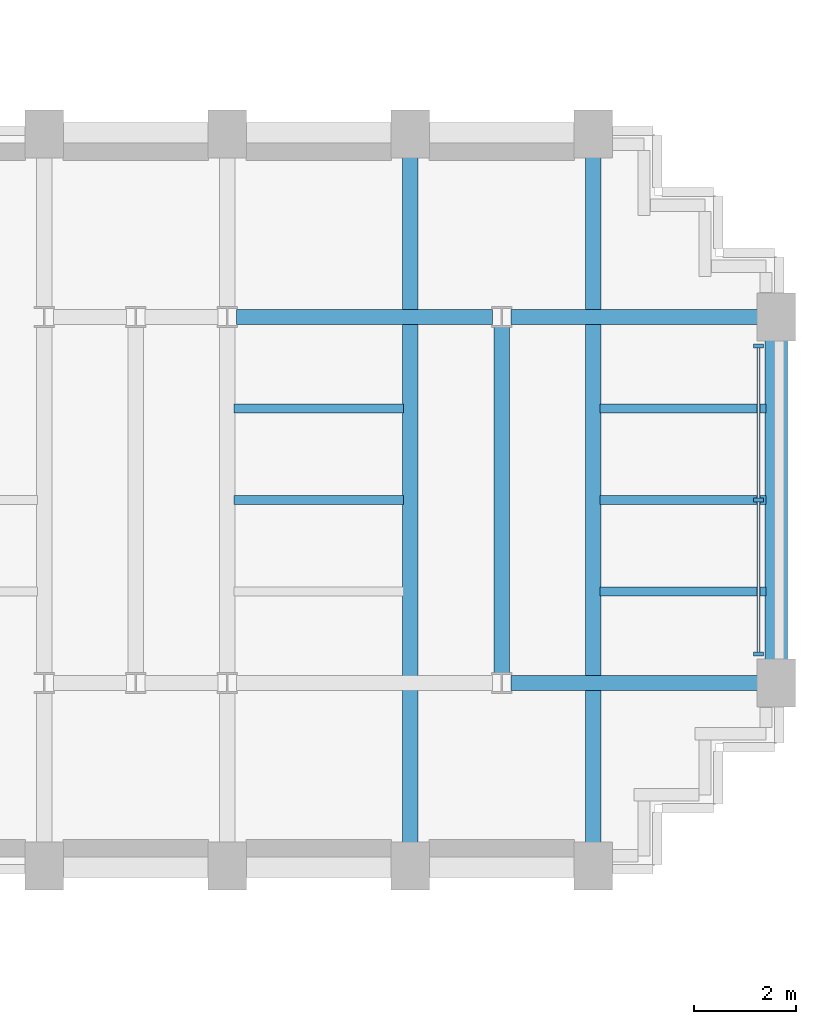
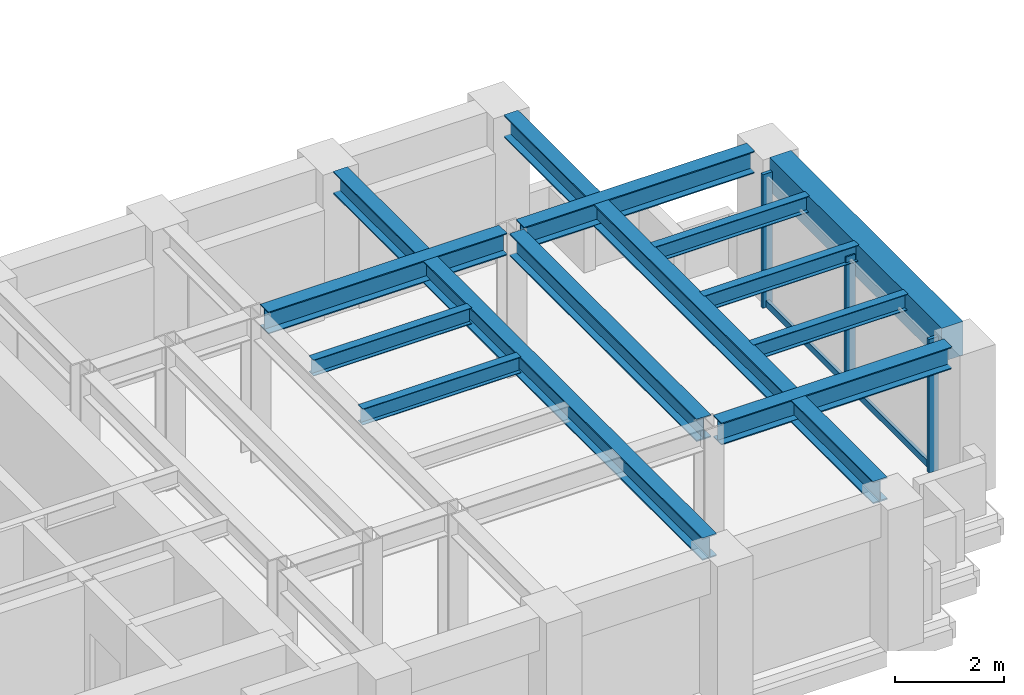
# One storey, part 6 of 16: 12 beams, 5 members, 1 element without a shape of its own.
"""IFC4 building model written with IfcOpenShell, lengths in metres."""

from ifc_helpers import new_model, si_unit, direction, frame, origin, origin_2d, place, context, subcontext, project, spatial, rectangle, i_section, extrude, source, transform, mapped, material, material_profile, profile_set, type_object, element, aggregate, save


model = new_model("IFC4")

# Units and contexts
model_context = context("Model", 3, precision=1e-05, world=origin(), true_north=direction((0.0, 1.0)))
body_context = subcontext(model_context, "Body", "Model", "MODEL_VIEW")
ifc_project = project(units=[si_unit("LENGTHUNIT", "METRE"), si_unit("AREAUNIT", "SQUARE_METRE"), si_unit("VOLUMEUNIT", "CUBIC_METRE"), si_unit("PLANEANGLEUNIT", "RADIAN"), si_unit("MASSUNIT", "GRAM", prefix="KILO")], contexts=[model_context])

# Site, building, storey
site_placement = place(None, origin())
site = spatial("IfcSite", under=ifc_project, at=site_placement, CompositionType="ELEMENT")
building_placement = place(site_placement, origin())
building = spatial("IfcBuilding", under=site, at=building_placement, Name="Keilestroom Media Tower", CompositionType="ELEMENT")
storey_placement = place(building_placement, frame((0.0, 0.0, 34.0)))
storey = spatial("IfcBuildingStorey", under=building, at=storey_placement, Name="L07", CompositionType="ELEMENT", Elevation=34.0)

# Beams
ifc_material_1 = material(Name="Precast concrete C40/50", Category="concrete")
ifc_material_profile_1 = material_profile(ifc_material_1, rectangle(XDim=0.449951171875, YDim=0.75, at=origin_2d()), Name="PC 450x750")
ifc_profile_set_1 = profile_set([ifc_material_profile_1], Name="Precast concrete C40/50")
beam_type_1 = type_object("IfcBeamType", Name="Perimeter-Spandrel-Beam-PC-450x750", PredefinedType="SPANDREL", material=ifc_profile_set_1)
shared_shape_1 = source(origin(), body_context, "Body", "SweptSolid", [
    extrude(rectangle(XDim=0.449951171875, YDim=0.75, at=origin_2d()), origin(), (0.0, 0.0, 1.0), 6.2900390625),
])
beam_1_placement = place(storey_placement, frame((28.800048828125, -3.14501953125, 2.824951171875), z_axis=(0.0, 1.0, 0.0), x_axis=(-1.0, 0.0, 0.0)))
element("IfcBeam", 1, at=beam_1_placement, inside=storey, type_object=beam_type_1, Name="L07 Beam SPB-1 BM-L07-NS-086", PredefinedType="SPANDREL", context=body_context, shape_type="MappedRepresentation", body=[
    mapped(shared_shape_1, transform((0.0, 0.0, 0.0), x_axis=(1.0, 0.0, 0.0), y_axis=(0.0, 1.0, 0.0), z_axis=(0.0, 0.0, 1.0), scale=1.0)),
])
ifc_material_2 = material(Name="Steel S355", Category="steel")
ifc_material_profile_2 = material_profile(ifc_material_2, i_section(OverallWidth=0.300048828125, OverallDepth=0.5, WebThickness=0.012451171875, FlangeThickness=0.028076171875, at=origin_2d()), Name="HEB 500")
ifc_profile_set_2 = profile_set([ifc_material_profile_2], Name="Steel S355")
beam_type_2 = type_object("IfcBeamType", Name="Primary-Structural-Girder-HEB-500", PredefinedType="BEAM", material=ifc_profile_set_2)
shared_shape_2 = source(origin(), body_context, "Body", "SweptSolid", [
    extrude(i_section(OverallWidth=0.300048828125, OverallDepth=0.5, WebThickness=0.012451171875, FlangeThickness=0.028076171875, at=origin_2d()), origin(), (0.0, 0.0, 1.0), 13.490234375),
])
for number, where, z_axis, x_axis, name in (
    (2, (21.60009765625, -6.7451171875, 2.949951171875), (0.0, 1.0, 0.0), (-1.0, 0.0, 0.0), "L07 Beam BG-6 BM-L07-NS-083"),
    (3, (25.199951171875, -6.7451171875, 2.949951171875), (0.0, 1.0, 0.0), (-1.0, 0.0, 0.0), "L07 Beam BG-6 BM-L07-NS-085"),
):
    element("IfcBeam", number, at=place(storey_placement, frame(where, z_axis=z_axis, x_axis=x_axis)), inside=storey, type_object=beam_type_2, Name=name, PredefinedType="BEAM", context=body_context, shape_type="MappedRepresentation", body=[
        mapped(shared_shape_2, transform((0.0, 0.0, 0.0), x_axis=(1.0, 0.0, 0.0), y_axis=(0.0, 1.0, 0.0), z_axis=(0.0, 0.0, 1.0), scale=1.0)),
    ])
shared_shape_3 = source(origin(), body_context, "Body", "SweptSolid", [
    extrude(i_section(OverallWidth=0.300048828125, OverallDepth=0.5, WebThickness=0.012451171875, FlangeThickness=0.028076171875, at=origin_2d()), origin(), (0.0, 0.0, 1.0), 6.8330078125),
])
beam_2_placement = place(storey_placement, frame((23.39990234375, -3.41650390625, 2.949951171875), z_axis=(0.0, 1.0, 0.0), x_axis=(-1.0, 0.0, 0.0)))
element("IfcBeam", 4, at=beam_2_placement, inside=storey, type_object=beam_type_2, Name="L07 Beam BG-6 BM-L07-NS-084", PredefinedType="BEAM", context=body_context, shape_type="MappedRepresentation", body=[
    mapped(shared_shape_3, transform((0.0, 0.0, 0.0), x_axis=(1.0, 0.0, 0.0), y_axis=(0.0, 1.0, 0.0), z_axis=(0.0, 0.0, 1.0), scale=1.0)),
])
ifc_material_profile_3 = material_profile(ifc_material_2, i_section(OverallWidth=0.300048828125, OverallDepth=0.489990234375, WebThickness=0.011962890625, FlangeThickness=0.02294921875, at=origin_2d()), Name="HEA 500")
ifc_profile_set_3 = profile_set([ifc_material_profile_3], Name="Steel S355")
beam_type_3 = type_object("IfcBeamType", Name="Primary-Structural-Girder-HEA-500", PredefinedType="BEAM", material=ifc_profile_set_3)
shared_shape_4 = source(origin(), body_context, "Body", "SweptSolid", [
    extrude(i_section(OverallWidth=0.300048828125, OverallDepth=0.489990234375, WebThickness=0.011962890625, FlangeThickness=0.02294921875, at=origin_2d()), origin(), (0.0, 0.0, 1.0), 4.863037109375),
])
for number, where, z_axis, x_axis, name in (
    (5, (23.58203125, -3.60009765625, 2.955078125), (1.0, 0.0, 0.0), (0.0, 1.0, 0.0), "L07 Beam BG-10 BM-L07-EW-025"),
    (6, (23.58203125, 3.60009765625, 2.955078125), (1.0, 0.0, 0.0), (0.0, 1.0, 0.0), "L07 Beam BG-10 BM-L07-EW-033"),
):
    element("IfcBeam", number, at=place(storey_placement, frame(where, z_axis=z_axis, x_axis=x_axis)), inside=storey, type_object=beam_type_3, Name=name, PredefinedType="BEAM", context=body_context, shape_type="MappedRepresentation", body=[
        mapped(shared_shape_4, transform((0.0, 0.0, 0.0), x_axis=(1.0, 0.0, 0.0), y_axis=(0.0, 1.0, 0.0), z_axis=(0.0, 0.0, 1.0), scale=1.0)),
    ])
shared_shape_5 = source(origin(), body_context, "Body", "SweptSolid", [
    extrude(i_section(OverallWidth=0.300048828125, OverallDepth=0.489990234375, WebThickness=0.011962890625, FlangeThickness=0.02294921875, at=origin_2d()), origin(), (0.0, 0.0, 1.0), 5.0361328125),
])
beam_3_placement = place(storey_placement, frame((18.181884765625, 3.60009765625, 2.955078125), z_axis=(1.0, 0.0, 0.0), x_axis=(0.0, 1.0, 0.0)))
element("IfcBeam", 7, at=beam_3_placement, inside=storey, type_object=beam_type_3, Name="L07 Beam BG-10 BM-L07-EW-032", PredefinedType="BEAM", context=body_context, shape_type="MappedRepresentation", body=[
    mapped(shared_shape_5, transform((0.0, 0.0, 0.0), x_axis=(1.0, 0.0, 0.0), y_axis=(0.0, 1.0, 0.0), z_axis=(0.0, 0.0, 1.0), scale=1.0)),
])
ifc_material_profile_4 = material_profile(ifc_material_2, i_section(OverallWidth=0.169921875, OverallDepth=0.360107421875, WebThickness=0.008056640625, FlangeThickness=0.0126953125, at=origin_2d()), Name="IPE 360")
ifc_profile_set_4 = profile_set([ifc_material_profile_4], Name="Steel S355")
beam_type_4 = type_object("IfcBeamType", Name="Secondary-Floor-Joist-IPE-360", PredefinedType="JOIST", material=ifc_profile_set_4)
shared_shape_6 = source(origin(), body_context, "Body", "SweptSolid", [
    extrude(i_section(OverallWidth=0.169921875, OverallDepth=0.360107421875, WebThickness=0.008056640625, FlangeThickness=0.0126953125, at=origin_2d()), origin(), (0.0, 0.0, 1.0), 3.264892578125),
])
for number, where, z_axis, x_axis, name in (
    (8, (25.330078125, -1.800048828125, 3.02001953125), (1.0, 0.0, 0.0), (0.0, 1.0, 0.0), "L07 Beam BJ-5 JST-L07-095"),
    (9, (25.330078125, 0.0, 3.02001953125), (1.0, 0.0, 0.0), (0.0, 1.0, 0.0), "L07 Beam BJ-5 JST-L07-102"),
    (10, (25.330078125, 1.800048828125, 3.02001953125), (1.0, 0.0, 0.0), (0.0, 1.0, 0.0), "L07 Beam BJ-5 JST-L07-109"),
):
    element("IfcBeam", number, at=place(storey_placement, frame(where, z_axis=z_axis, x_axis=x_axis)), inside=storey, type_object=beam_type_4, Name=name, PredefinedType="JOIST", context=body_context, shape_type="MappedRepresentation", body=[
        mapped(shared_shape_6, transform((0.0, 0.0, 0.0), x_axis=(1.0, 0.0, 0.0), y_axis=(0.0, 1.0, 0.0), z_axis=(0.0, 0.0, 1.0), scale=1.0)),
    ])
shared_shape_7 = source(origin(), body_context, "Body", "SweptSolid", [
    extrude(i_section(OverallWidth=0.169921875, OverallDepth=0.360107421875, WebThickness=0.008056640625, FlangeThickness=0.0126953125, at=origin_2d()), origin(), (0.0, 0.0, 1.0), 3.340087890625),
])
for number, where, z_axis, x_axis, name in (
    (11, (18.1298828125, 0.0, 3.02001953125), (1.0, 0.0, 0.0), (0.0, 1.0, 0.0), "L07 Beam BJ-5 JST-L07-101"),
    (12, (18.1298828125, 1.800048828125, 3.02001953125), (1.0, 0.0, 0.0), (0.0, 1.0, 0.0), "L07 Beam BJ-5 JST-L07-108"),
):
    element("IfcBeam", number, at=place(storey_placement, frame(where, z_axis=z_axis, x_axis=x_axis)), inside=storey, type_object=beam_type_4, Name=name, PredefinedType="JOIST", context=body_context, shape_type="MappedRepresentation", body=[
        mapped(shared_shape_7, transform((0.0, 0.0, 0.0), x_axis=(1.0, 0.0, 0.0), y_axis=(0.0, 1.0, 0.0), z_axis=(0.0, 0.0, 1.0), scale=1.0)),
    ])

# Curtain wall, members
ifc_material_3 = material(Name="Anodised Aluminium Alloy", Category="aluminium")
curtain_wall_type = type_object("IfcCurtainWallType", Name="Unitised-Curtain-Wall-CW-1", PredefinedType="NOTDEFINED", material=ifc_material_3)
curtain_wall_placement = place(storey_placement, origin())
curtain_wall = element("IfcCurtainWall", 13, at=curtain_wall_placement, inside=storey, type_object=curtain_wall_type, Name="L07 Curtain Wall CW-1 CW-L07-E-1", PredefinedType="NOTDEFINED")
ifc_material_profile_5 = material_profile(ifc_material_3, rectangle(XDim=0.070068359375, YDim=0.199951171875, at=origin_2d()), Name="ALU MULLION 70x200")
ifc_profile_set_5 = profile_set([ifc_material_profile_5], Name="Anodised Aluminium Alloy")
member_type_1 = type_object("IfcMemberType", Name="Curtain-Wall-Mullion-CW-1", PredefinedType="MULLION", material=ifc_profile_set_5)
shared_shape_8 = source(origin(), body_context, "Body", "SweptSolid", [
    extrude(rectangle(XDim=0.070068359375, YDim=0.199951171875, at=origin_2d()), origin(), (0.0, 0.0, 1.0), 2.97998046875),
])
member_1_placement = place(storey_placement, frame((28.449951171875, -3.030029296875, 0.0), z_axis=(0.0, 0.0, 1.0), x_axis=(0.0, 1.0, 0.0)))
member_1 = element("IfcMember", 14, at=member_1_placement, type_object=member_type_1, Name="CW-1 Mullion 00", PredefinedType="MULLION", context=body_context, shape_type="MappedRepresentation", body=[
    mapped(shared_shape_8, transform((0.0, 0.0, 0.0), x_axis=(1.0, 0.0, 0.0), y_axis=(0.0, 1.0, 0.0), z_axis=(0.0, 0.0, 1.0), scale=1.0)),
])
member_2_placement = place(storey_placement, frame((28.449951171875, 0.0, 0.0), z_axis=(0.0, 0.0, 1.0), x_axis=(0.0, 1.0, 0.0)))
member_2 = element("IfcMember", 15, at=member_2_placement, type_object=member_type_1, Name="CW-1 Mullion 01", PredefinedType="MULLION", context=body_context, shape_type="MappedRepresentation", body=[
    mapped(shared_shape_8, transform((0.0, 0.0, 0.0), x_axis=(1.0, 0.0, 0.0), y_axis=(0.0, 1.0, 0.0), z_axis=(0.0, 0.0, 1.0), scale=1.0)),
])
member_3_placement = place(storey_placement, frame((28.449951171875, 3.030029296875, 0.0), z_axis=(0.0, 0.0, 1.0), x_axis=(0.0, 1.0, 0.0)))
member_3 = element("IfcMember", 16, at=member_3_placement, type_object=member_type_1, Name="CW-1 Mullion 02", PredefinedType="MULLION", context=body_context, shape_type="MappedRepresentation", body=[
    mapped(shared_shape_8, transform((0.0, 0.0, 0.0), x_axis=(1.0, 0.0, 0.0), y_axis=(0.0, 1.0, 0.0), z_axis=(0.0, 0.0, 1.0), scale=1.0)),
])
ifc_material_profile_6 = material_profile(ifc_material_3, rectangle(XDim=0.06494140625, YDim=0.14990234375, at=origin_2d()), Name="ALU TRANSOM 65x150")
ifc_profile_set_6 = profile_set([ifc_material_profile_6], Name="Anodised Aluminium Alloy")
member_type_2 = type_object("IfcMemberType", Name="Curtain-Wall-Transom-CW-1", PredefinedType="USERDEFINED", material=ifc_profile_set_6)
shared_shape_9 = source(origin(), body_context, "Body", "SweptSolid", [
    extrude(rectangle(XDim=0.06494140625, YDim=0.14990234375, at=origin_2d()), origin(), (0.0, 0.0, 1.0), 2.964111328125),
])
member_4_placement = place(storey_placement, frame((28.449951171875, -2.9970703125, 0.074951171875), z_axis=(0.0, 1.0, 0.0), x_axis=(-1.0, 0.0, 0.0)))
member_4 = element("IfcMember", 17, at=member_4_placement, type_object=member_type_2, Name="CW-1 Transom 00.1", ObjectType="TRANSOM", PredefinedType="USERDEFINED", context=body_context, shape_type="MappedRepresentation", body=[
    mapped(shared_shape_9, transform((0.0, 0.0, 0.0), x_axis=(1.0, 0.0, 0.0), y_axis=(0.0, 1.0, 0.0), z_axis=(0.0, 0.0, 1.0), scale=1.0)),
])
member_5_placement = place(storey_placement, frame((28.449951171875, 0.032958984375, 0.074951171875), z_axis=(0.0, 1.0, 0.0), x_axis=(-1.0, 0.0, 0.0)))
member_5 = element("IfcMember", 18, at=member_5_placement, type_object=member_type_2, Name="CW-1 Transom 01.1", ObjectType="TRANSOM", PredefinedType="USERDEFINED", context=body_context, shape_type="MappedRepresentation", body=[
    mapped(shared_shape_9, transform((0.0, 0.0, 0.0), x_axis=(1.0, 0.0, 0.0), y_axis=(0.0, 1.0, 0.0), z_axis=(0.0, 0.0, 1.0), scale=1.0)),
])
aggregate(curtain_wall, [member_1, member_2, member_3, member_4, member_5])

save(model, "model.ifc")
